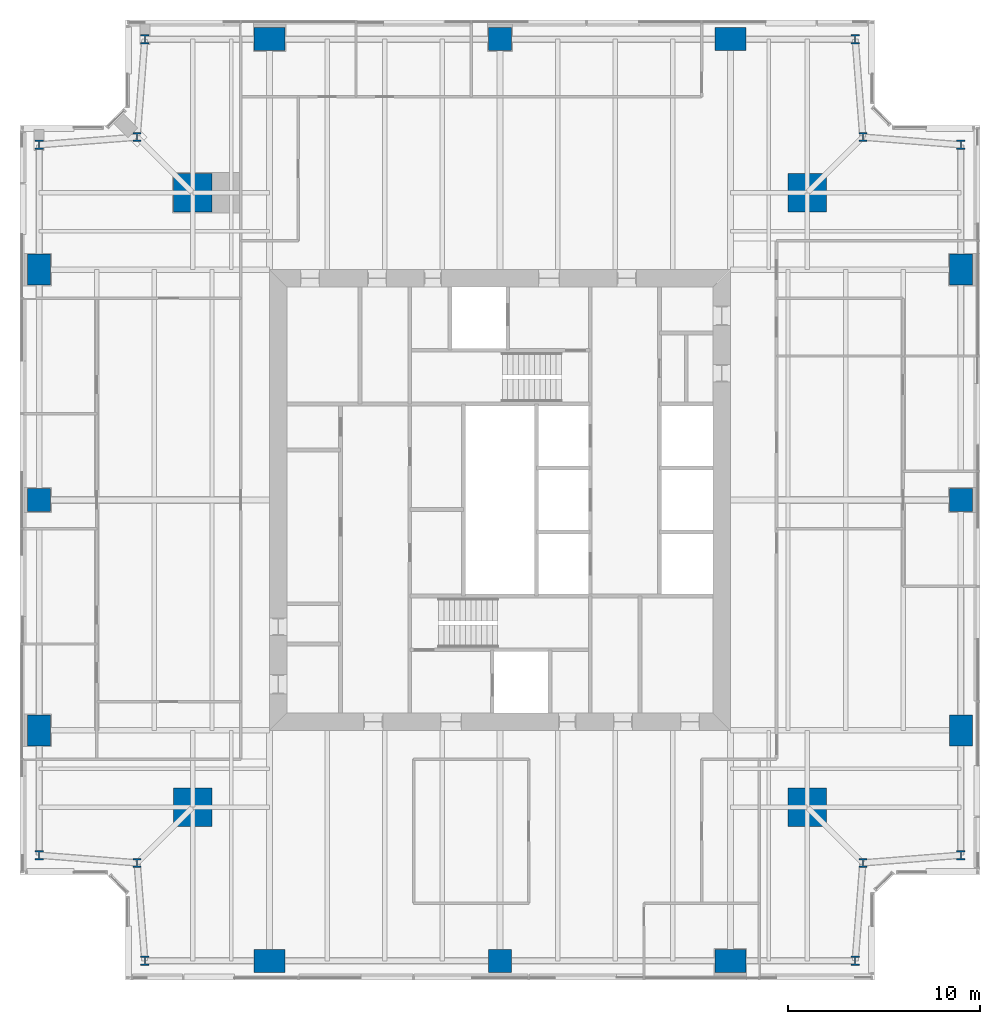
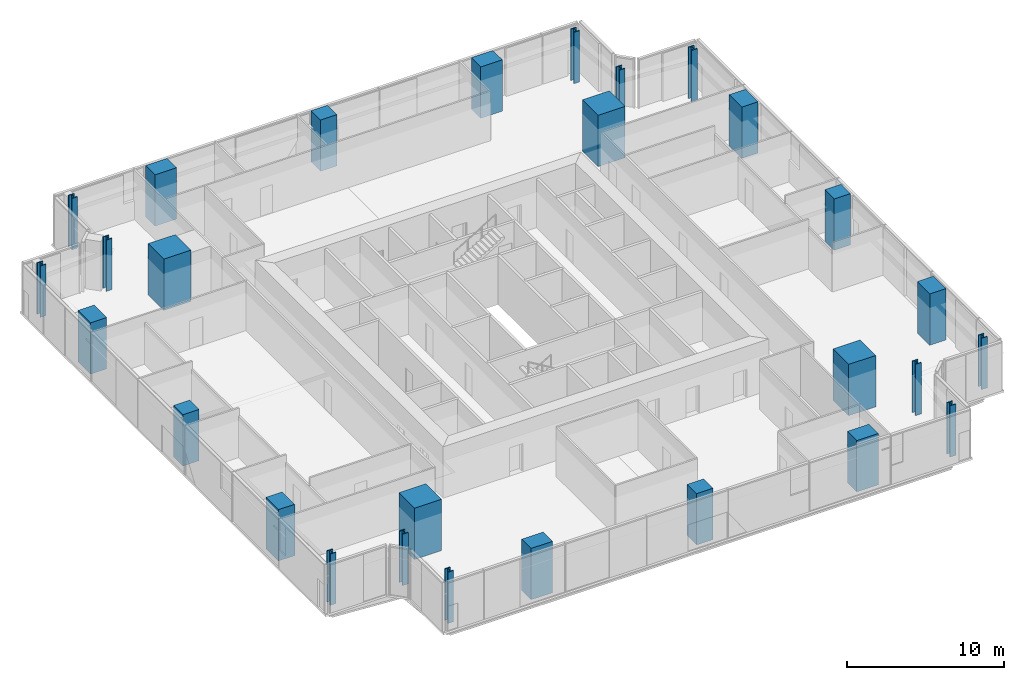
# One storey, part 1 of 16: 28 columns.
"""IFC4 building model written with IfcOpenShell, lengths in metres."""

from ifc_helpers import new_model, si_unit, direction, frame, origin, origin_2d, place, context, subcontext, project, spatial, rectangle, i_section, extrude, material, material_profile, profile_set, type_object, element, save


model = new_model("IFC4")

# Units and contexts
model_context = context("Model", 3, precision=1e-05, world=origin(), true_north=direction((0.0, 1.0)))
body_context = subcontext(model_context, "Body", "Model", "MODEL_VIEW")
ifc_project = project(units=[si_unit("LENGTHUNIT", "METRE"), si_unit("AREAUNIT", "SQUARE_METRE"), si_unit("VOLUMEUNIT", "CUBIC_METRE"), si_unit("PLANEANGLEUNIT", "RADIAN"), si_unit("MASSUNIT", "GRAM", prefix="KILO")], contexts=[model_context])

# Site, building, storey
site_placement = place(None, origin())
site = spatial("IfcSite", under=ifc_project, at=site_placement, CompositionType="ELEMENT")
building_placement = place(site_placement, origin())
building = spatial("IfcBuilding", under=site, at=building_placement, Name="Fenwick Lantern Interchange", CompositionType="ELEMENT")
storey_placement = place(building_placement, frame((0.0, 0.0, 177.800048828125)))
storey = spatial("IfcBuildingStorey", under=building, at=storey_placement, Name="L41", CompositionType="ELEMENT", Elevation=177.800048828125)

# Columns
ifc_material_1 = material(Name="Concrete f'c 70 MPa", Category="concrete")
ifc_material_profile_1 = material_profile(ifc_material_1, rectangle(XDim=2.0, YDim=2.0, at=origin_2d()), Name="RC2000X2000")
ifc_profile_set_1 = profile_set([ifc_material_profile_1], Name="Concrete f'c 70 MPa")
column_type_1 = type_object("IfcColumnType", Name="MEGA COLUMN RC2000X2000", PredefinedType="COLUMN", material=ifc_profile_set_1)
for number, where, z_axis, x_axis, name in (
    (1, (9.0, 9.0, 0.0), (0.0, 0.0, 1.0), (1.0, 0.0, 0.0), "L41/M1"),
    (2, (41.0, 9.0, 0.0), (0.0, 0.0, 1.0), (1.0, 0.0, 0.0), "L41/M2"),
    (3, (41.0, 41.0, 0.0), (0.0, 0.0, 1.0), (1.0, 0.0, 0.0), "L41/M3"),
    (4, (9.0, 41.0, 0.0), (0.0, 0.0, 1.0), (1.0, 0.0, 0.0), "L41/M4"),
):
    element("IfcColumn", number, at=place(storey_placement, frame(where, z_axis=z_axis, x_axis=x_axis)), inside=storey, type_object=column_type_1, Name=name, PredefinedType="COLUMN", context=body_context, shape_type="SweptSolid", body=[
        extrude(rectangle(XDim=2.0, YDim=2.0, at=origin_2d()), origin(), (0.0, 0.0, 1.0), 4.0),
    ])
ifc_material_profile_2 = material_profile(ifc_material_1, rectangle(XDim=1.199951171875, YDim=1.199951171875, at=origin_2d()), Name="RC1200X1200")
ifc_profile_set_2 = profile_set([ifc_material_profile_2], Name="Concrete f'c 70 MPa")
column_type_2 = type_object("IfcColumnType", Name="PERIMETER COLUMN RC1200X1200", PredefinedType="COLUMN", material=ifc_profile_set_2)
for number, where, z_axis, x_axis, name in (
    (5, (25.0, 1.0, 0.0), (0.0, 0.0, 1.0), (1.0, 0.0, 0.0), "L41/CS3"),
    (6, (49.0, 25.0, 0.0), (0.0, 0.0, 1.0), (1.0, 0.0, 0.0), "L41/CE3"),
    (7, (25.0, 49.0, 0.0), (0.0, 0.0, 1.0), (1.0, 0.0, 0.0), "L41/CN3"),
    (8, (1.0, 25.0, 0.0), (0.0, 0.0, 1.0), (1.0, 0.0, 0.0), "L41/CW3"),
):
    element("IfcColumn", number, at=place(storey_placement, frame(where, z_axis=z_axis, x_axis=x_axis)), inside=storey, type_object=column_type_2, Name=name, PredefinedType="COLUMN", context=body_context, shape_type="SweptSolid", body=[
        extrude(rectangle(XDim=1.199951171875, YDim=1.199951171875, at=origin_2d()), origin(), (0.0, 0.0, 1.0), 4.0),
    ])
ifc_material_profile_3 = material_profile(ifc_material_1, rectangle(XDim=1.199951171875, YDim=1.60009765625, at=origin_2d()), Name="RC1200X1600")
ifc_profile_set_3 = profile_set([ifc_material_profile_3], Name="Concrete f'c 70 MPa")
column_type_3 = type_object("IfcColumnType", Name="PERIMETER COLUMN RC1200X1600", PredefinedType="COLUMN", material=ifc_profile_set_3)
for number, where, z_axis, x_axis, name in (
    (9, (49.0, 13.0, 0.0), (0.0, 0.0, 1.0), (1.0, 0.0, 0.0), "L41/CE2"),
    (10, (49.0, 37.0, 0.0), (0.0, 0.0, 1.0), (1.0, 0.0, 0.0), "L41/CE4"),
    (11, (1.0, 37.0, 0.0), (0.0, 0.0, 1.0), (1.0, 0.0, 0.0), "L41/CW2"),
    (12, (1.0, 13.0, 0.0), (0.0, 0.0, 1.0), (1.0, 0.0, 0.0), "L41/CW4"),
):
    element("IfcColumn", number, at=place(storey_placement, frame(where, z_axis=z_axis, x_axis=x_axis)), inside=storey, type_object=column_type_3, Name=name, PredefinedType="COLUMN", context=body_context, shape_type="SweptSolid", body=[
        extrude(rectangle(XDim=1.199951171875, YDim=1.60009765625, at=origin_2d()), origin(), (0.0, 0.0, 1.0), 4.0),
    ])
ifc_material_profile_4 = material_profile(ifc_material_1, rectangle(XDim=1.60009765625, YDim=1.199951171875, at=origin_2d()), Name="RC1600X1200")
ifc_profile_set_4 = profile_set([ifc_material_profile_4], Name="Concrete f'c 70 MPa")
column_type_4 = type_object("IfcColumnType", Name="PERIMETER COLUMN RC1600X1200", PredefinedType="COLUMN", material=ifc_profile_set_4)
for number, where, z_axis, x_axis, name in (
    (13, (13.0, 1.0, 0.0), (0.0, 0.0, 1.0), (1.0, 0.0, 0.0), "L41/CS2"),
    (14, (37.0, 1.0, 0.0), (0.0, 0.0, 1.0), (1.0, 0.0, 0.0), "L41/CS4"),
    (15, (37.0, 49.0, 0.0), (0.0, 0.0, 1.0), (1.0, 0.0, 0.0), "L41/CN2"),
    (16, (13.0, 49.0, 0.0), (0.0, 0.0, 1.0), (1.0, 0.0, 0.0), "L41/CN4"),
):
    element("IfcColumn", number, at=place(storey_placement, frame(where, z_axis=z_axis, x_axis=x_axis)), inside=storey, type_object=column_type_4, Name=name, PredefinedType="COLUMN", context=body_context, shape_type="SweptSolid", body=[
        extrude(rectangle(XDim=1.60009765625, YDim=1.199951171875, at=origin_2d()), origin(), (0.0, 0.0, 1.0), 4.0),
    ])
ifc_material_2 = material(Name="Steel ASTM A992 Grade 50", Category="steel")
ifc_material_profile_5 = material_profile(ifc_material_2, i_section(OverallWidth=0.424072265625, OverallDepth=0.47509765625, WebThickness=0.0478515625, FlangeThickness=0.0771484375, at=origin_2d()), Name="W14X426")
ifc_profile_set_5 = profile_set([ifc_material_profile_5], Name="Steel ASTM A992 Grade 50")
column_type_5 = type_object("IfcColumnType", Name="PERIMETER COLUMN W14X426", PredefinedType="COLUMN", material=ifc_profile_set_5)
for number, where, z_axis, x_axis, name in (
    (17, (6.5, 1.0, 0.0), (0.0, 0.0, 1.0), (1.0, 0.0, 0.0), "L41/CS1"),
    (18, (43.5, 1.0, 0.0), (0.0, 0.0, 1.0), (1.0, 0.0, 0.0), "L41/CS5"),
    (19, (43.89990234375, 6.10009765625, 0.0), (0.0, 0.0, 1.0), (1.0, 0.0, 0.0), "L41/CSR"),
    (20, (49.0, 6.5, 0.0), (0.0, 0.0, 1.0), (1.0, 0.0, 0.0), "L41/CE1"),
    (21, (49.0, 43.5, 0.0), (0.0, 0.0, 1.0), (1.0, 0.0, 0.0), "L41/CE5"),
    (22, (43.89990234375, 43.89990234375, 0.0), (0.0, 0.0, 1.0), (1.0, 0.0, 0.0), "L41/CER"),
    (23, (43.5, 49.0, 0.0), (0.0, 0.0, 1.0), (1.0, 0.0, 0.0), "L41/CN1"),
    (24, (6.5, 49.0, 0.0), (0.0, 0.0, 1.0), (1.0, 0.0, 0.0), "L41/CN5"),
    (25, (6.10009765625, 43.89990234375, 0.0), (0.0, 0.0, 1.0), (1.0, 0.0, 0.0), "L41/CNR"),
    (26, (1.0, 43.5, 0.0), (0.0, 0.0, 1.0), (1.0, 0.0, 0.0), "L41/CW1"),
    (27, (1.0, 6.5, 0.0), (0.0, 0.0, 1.0), (1.0, 0.0, 0.0), "L41/CW5"),
    (28, (6.10009765625, 6.10009765625, 0.0), (0.0, 0.0, 1.0), (1.0, 0.0, 0.0), "L41/CWR"),
):
    element("IfcColumn", number, at=place(storey_placement, frame(where, z_axis=z_axis, x_axis=x_axis)), inside=storey, type_object=column_type_5, Name=name, PredefinedType="COLUMN", context=body_context, shape_type="SweptSolid", body=[
        extrude(i_section(OverallWidth=0.424072265625, OverallDepth=0.47509765625, WebThickness=0.0478515625, FlangeThickness=0.0771484375, at=origin_2d()), origin(), (0.0, 0.0, 1.0), 4.0),
    ])

save(model, "model.ifc")
